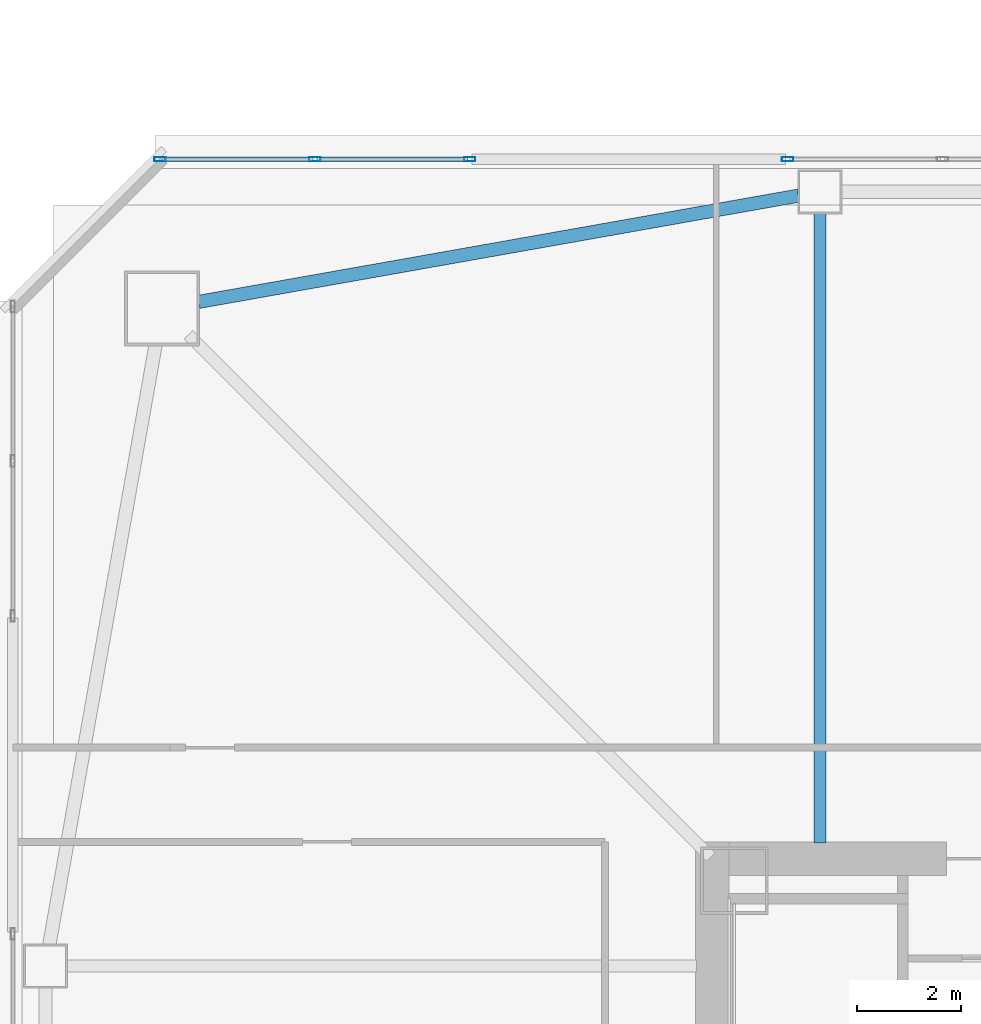
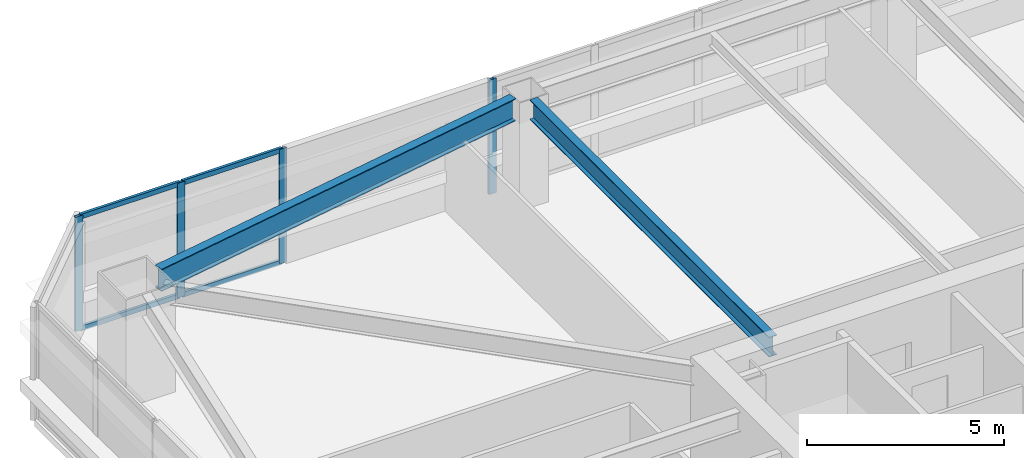
# One storey, part 12 of 44: 8 members, 2 beams, 2 elements without a shape of their own.
"""IFC4 building model written with IfcOpenShell, lengths in metres."""

from ifc_helpers import new_model, si_unit, direction, frame, origin, origin_2d, place, context, subcontext, project, spatial, hollow_rectangle, i_section, extrude, material, material_profile, profile_set, type_object, element, aggregate, save


model = new_model("IFC4")

# Units and contexts
model_context = context("Model", 3, precision=1e-05, world=origin(), true_north=direction((0.0, 1.0)))
body_context = subcontext(model_context, "Body", "Model", "MODEL_VIEW")
ifc_project = project(units=[si_unit("LENGTHUNIT", "METRE"), si_unit("AREAUNIT", "SQUARE_METRE"), si_unit("VOLUMEUNIT", "CUBIC_METRE"), si_unit("PLANEANGLEUNIT", "RADIAN"), si_unit("MASSUNIT", "GRAM", prefix="KILO")], contexts=[model_context])

# Site, building, storey
site_placement = place(None, origin())
site = spatial("IfcSite", under=ifc_project, at=site_placement, CompositionType="ELEMENT")
building_placement = place(site_placement, origin())
building = spatial("IfcBuilding", under=site, at=building_placement, Name="Tashvorn Skyway Center", CompositionType="ELEMENT")
storey_placement = place(building_placement, frame((0.0, 0.0, 84.949951171875)))
storey = spatial("IfcBuildingStorey", under=building, at=storey_placement, Name="L22", CompositionType="ELEMENT", Elevation=84.949951171875)

# Beams
ifc_material_1 = material(Name="Steel ASTM A992 Grade 50", Category="steel")
ifc_material_profile_1 = material_profile(ifc_material_1, i_section(OverallWidth=0.22998046875, OverallDepth=0.616943359375, WebThickness=0.01318359375, FlangeThickness=0.022216796875, at=origin_2d()), Name="W24X94")
ifc_profile_set_1 = profile_set([ifc_material_profile_1], Name="Steel ASTM A992 Grade 50")
beam_type_1 = type_object("IfcBeamType", Name="BM-BEAM-W24X94", PredefinedType="BEAM", material=ifc_profile_set_1)
beam_1_placement = place(storey_placement, frame((36.60009765625, 51.929931640625, 3.04150390625), z_axis=(0.0, -1.0, 0.0), x_axis=(1.0, 0.0, 0.0)))
element("IfcBeam", 1, at=beam_1_placement, inside=storey, type_object=beam_type_1, Name="Tower 1 L22 Primary Floor Girder FC-N2", PredefinedType="BEAM", context=body_context, shape_type="SweptSolid", body=[
    extrude(i_section(OverallWidth=0.22998046875, OverallDepth=0.616943359375, WebThickness=0.01318359375, FlangeThickness=0.022216796875, at=origin_2d()), origin(), (0.0, 0.0, 1.0), 12.14990234375),
])
ifc_material_profile_2 = material_profile(ifc_material_1, i_section(OverallWidth=0.256103515625, OverallDepth=0.693115234375, WebThickness=0.014404296875, FlangeThickness=0.023681640625, at=origin_2d()), Name="W27X114")
ifc_profile_set_2 = profile_set([ifc_material_profile_2], Name="Steel ASTM A992 Grade 50")
beam_type_2 = type_object("IfcBeamType", Name="BM-SPANDREL-W27X114", PredefinedType="SPANDREL", material=ifc_profile_set_2)
beam_2_placement = place(storey_placement, frame((36.1865234375, 52.276611328125, 3.003662109375), z_axis=(-0.98466816531, -0.174437966698, 0.0), x_axis=(0.174437966698, -0.98466816531, 0.0)))
element("IfcBeam", 2, at=beam_2_placement, inside=storey, type_object=beam_type_2, Name="Tower 1 L22 Spandrel Beam 09", PredefinedType="SPANDREL", context=body_context, shape_type="SweptSolid", body=[
    extrude(i_section(OverallWidth=0.256103515625, OverallDepth=0.693115234375, WebThickness=0.014404296875, FlangeThickness=0.023681640625, at=origin_2d()), origin(), (0.0, 0.0, 1.0), 11.7578125),
])

# Curtain wall, members
ifc_material_2 = material(Name="Thermally broken bronze-anodized aluminium 6063-T6", Category="aluminium")
curtain_wall_type = type_object("IfcCurtainWallType", Name="CW-CW-Z2", PredefinedType="NOTDEFINED", material=ifc_material_2)
curtain_wall_1_placement = place(storey_placement, origin())
curtain_wall_1 = element("IfcCurtainWall", 3, at=curtain_wall_1_placement, inside=storey, type_object=curtain_wall_type, Name="Tower 1 L22 North Unitised Curtain Wall Glazing Group 1", PredefinedType="NOTDEFINED")
ifc_material_profile_3 = material_profile(ifc_material_2, hollow_rectangle(XDim=0.080078125, YDim=0.219970703125, WallThickness=0.0048828125, at=origin_2d()), Name="ALU-MULL-80x220")
ifc_profile_set_3 = profile_set([ifc_material_profile_3], Name="Thermally broken bronze-anodized aluminium 6063-T6")
member_type_1 = type_object("IfcMemberType", Name="CWM-CW-Z2", PredefinedType="MULLION", material=ifc_profile_set_3)
member_1_placement = place(storey_placement, frame((23.860107421875, 52.97998046875, 0.0), z_axis=(0.0, 0.0, 1.0), x_axis=(0.0, 1.0, 0.0)))
member_1 = element("IfcMember", 4, at=member_1_placement, type_object=member_type_1, Name="CW-Z2 mullion 1", PredefinedType="MULLION", context=body_context, shape_type="SweptSolid", body=[
    extrude(hollow_rectangle(XDim=0.080078125, YDim=0.219970703125, WallThickness=0.0048828125, at=origin_2d()), origin(), (0.0, 0.0, 1.0), 3.550048828125),
])
member_2_placement = place(storey_placement, frame((26.85009765625, 52.97998046875, 0.0), z_axis=(0.0, 0.0, 1.0), x_axis=(0.0, 1.0, 0.0)))
member_2 = element("IfcMember", 5, at=member_2_placement, type_object=member_type_1, Name="CW-Z2 mullion 2", PredefinedType="MULLION", context=body_context, shape_type="SweptSolid", body=[
    extrude(hollow_rectangle(XDim=0.080078125, YDim=0.219970703125, WallThickness=0.0048828125, at=origin_2d()), origin(), (0.0, 0.0, 1.0), 3.550048828125),
])
member_3_placement = place(storey_placement, frame((29.840087890625, 52.97998046875, 0.0), z_axis=(0.0, 0.0, 1.0), x_axis=(0.0, 1.0, 0.0)))
member_3 = element("IfcMember", 6, at=member_3_placement, type_object=member_type_1, Name="CW-Z2 mullion 3", PredefinedType="MULLION", context=body_context, shape_type="SweptSolid", body=[
    extrude(hollow_rectangle(XDim=0.080078125, YDim=0.219970703125, WallThickness=0.0048828125, at=origin_2d()), origin(), (0.0, 0.0, 1.0), 3.550048828125),
])

# Curtain wall, member
curtain_wall_2_placement = place(storey_placement, origin())
curtain_wall_2 = element("IfcCurtainWall", 7, at=curtain_wall_2_placement, inside=storey, type_object=curtain_wall_type, Name="Tower 1 L22 North Unitised Curtain Wall Glazing Group 2", PredefinedType="NOTDEFINED")
member_4_placement = place(storey_placement, frame((35.97998046875, 52.97998046875, 0.0), z_axis=(0.0, 0.0, 1.0), x_axis=(0.0, 1.0, 0.0)))
member_4 = element("IfcMember", 8, at=member_4_placement, type_object=member_type_1, Name="CW-Z2 mullion 1", PredefinedType="MULLION", context=body_context, shape_type="SweptSolid", body=[
    extrude(hollow_rectangle(XDim=0.080078125, YDim=0.219970703125, WallThickness=0.0048828125, at=origin_2d()), origin(), (0.0, 0.0, 1.0), 3.550048828125),
])
aggregate(curtain_wall_2, [member_4])

# Member
ifc_material_profile_4 = material_profile(ifc_material_2, hollow_rectangle(XDim=0.080078125, YDim=0.14990234375, WallThickness=0.00439453125, at=origin_2d()), Name="ALU-TRAN-80x150")
ifc_profile_set_4 = profile_set([ifc_material_profile_4], Name="Thermally broken bronze-anodized aluminium 6063-T6")
member_type_2 = type_object("IfcMemberType", Name="CWT-CW-Z2", PredefinedType="USERDEFINED", material=ifc_profile_set_4)
member_5_placement = place(storey_placement, frame((23.89990234375, 52.97998046875, 0.0400390625), z_axis=(1.0, 0.0, 0.0), x_axis=(0.0, 1.0, 0.0)))
member_5 = element("IfcMember", 9, at=member_5_placement, type_object=member_type_2, Name="CW-Z2 transom 1.1", ObjectType="TRANSOM", PredefinedType="USERDEFINED", context=body_context, shape_type="SweptSolid", body=[
    extrude(hollow_rectangle(XDim=0.080078125, YDim=0.14990234375, WallThickness=0.00439453125, at=origin_2d()), origin(), (0.0, 0.0, 1.0), 2.91015625),
])

member_6_placement = place(storey_placement, frame((23.89990234375, 52.97998046875, 3.510009765625), z_axis=(1.0, 0.0, 0.0), x_axis=(0.0, 1.0, 0.0)))
member_6 = element("IfcMember", 10, at=member_6_placement, type_object=member_type_2, Name="CW-Z2 transom 1.2", ObjectType="TRANSOM", PredefinedType="USERDEFINED", context=body_context, shape_type="SweptSolid", body=[
    extrude(hollow_rectangle(XDim=0.080078125, YDim=0.14990234375, WallThickness=0.00439453125, at=origin_2d()), origin(), (0.0, 0.0, 1.0), 2.91015625),
])

member_7_placement = place(storey_placement, frame((26.889892578125, 52.97998046875, 0.0400390625), z_axis=(1.0, 0.0, 0.0), x_axis=(0.0, 1.0, 0.0)))
member_7 = element("IfcMember", 11, at=member_7_placement, type_object=member_type_2, Name="CW-Z2 transom 2.1", ObjectType="TRANSOM", PredefinedType="USERDEFINED", context=body_context, shape_type="SweptSolid", body=[
    extrude(hollow_rectangle(XDim=0.080078125, YDim=0.14990234375, WallThickness=0.00439453125, at=origin_2d()), origin(), (0.0, 0.0, 1.0), 2.91015625),
])

member_8_placement = place(storey_placement, frame((26.889892578125, 52.97998046875, 3.510009765625), z_axis=(1.0, 0.0, 0.0), x_axis=(0.0, 1.0, 0.0)))
member_8 = element("IfcMember", 12, at=member_8_placement, type_object=member_type_2, Name="CW-Z2 transom 2.2", ObjectType="TRANSOM", PredefinedType="USERDEFINED", context=body_context, shape_type="SweptSolid", body=[
    extrude(hollow_rectangle(XDim=0.080078125, YDim=0.14990234375, WallThickness=0.00439453125, at=origin_2d()), origin(), (0.0, 0.0, 1.0), 2.91015625),
])

aggregate(curtain_wall_1, [member_1, member_2, member_3, member_5, member_6, member_7, member_8])

save(model, "model.ifc")
